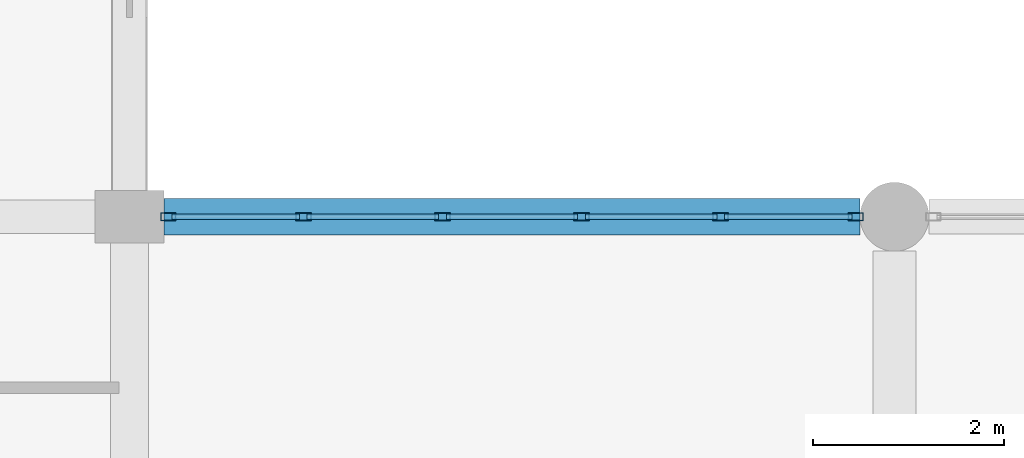
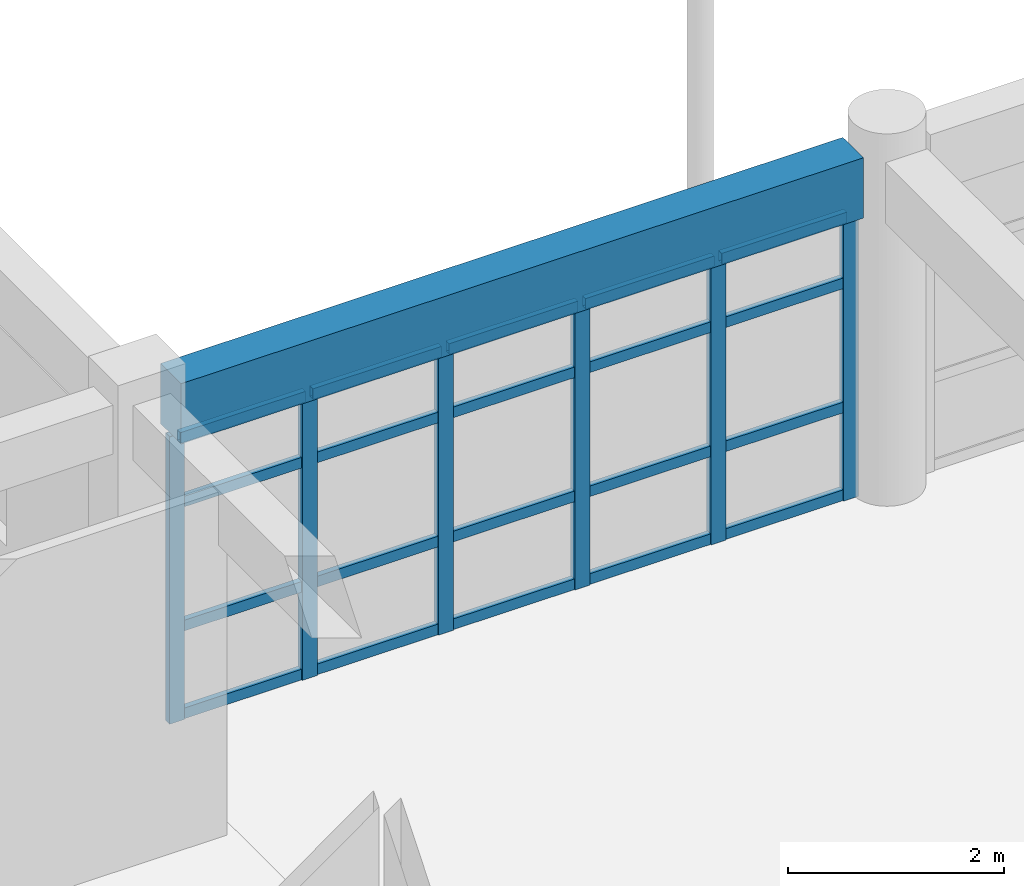
# One storey, part 44 of 195: 26 members, 1 beam, 1 element without a shape of its own.
"""IFC4 building model written with IfcOpenShell, lengths in metres."""

from ifc_helpers import new_model, si_unit, direction, frame, origin, origin_2d, place, context, subcontext, project, spatial, rectangle, hollow_rectangle, extrude, material, material_profile, profile_set, type_object, element, aggregate, save


model = new_model("IFC4")

# Units and contexts
model_context = context("Model", 3, precision=1e-05, world=origin(), true_north=direction((0.0, 1.0)))
body_context = subcontext(model_context, "Body", "Model", "MODEL_VIEW")
ifc_project = project(units=[si_unit("LENGTHUNIT", "METRE"), si_unit("AREAUNIT", "SQUARE_METRE"), si_unit("VOLUMEUNIT", "CUBIC_METRE"), si_unit("PLANEANGLEUNIT", "RADIAN"), si_unit("MASSUNIT", "GRAM", prefix="KILO")], contexts=[model_context])

# Site, building, storey
site_placement = place(None, origin())
site = spatial("IfcSite", under=ifc_project, at=site_placement, CompositionType="ELEMENT")
building_placement = place(site_placement, origin())
building = spatial("IfcBuilding", under=site, at=building_placement, Name="Kharva Crest Polytechnic", CompositionType="ELEMENT")
storey_placement = place(building_placement, frame((0.0, 0.0, 9.0)))
storey = spatial("IfcBuildingStorey", under=building, at=storey_placement, Name="L02", CompositionType="ELEMENT", Elevation=9.0)

# Curtain wall, members
ifc_material_1 = material(Name="Tempered insulated glass", Category="glass")
curtain_wall_type = type_object("IfcCurtainWallType", Name="CW-SYS-COURT", PredefinedType="USERDEFINED", material=ifc_material_1)
curtain_wall_placement = place(storey_placement, origin())
curtain_wall = element("IfcCurtainWall", 1, at=curtain_wall_placement, inside=storey, type_object=curtain_wall_type, Name="L02 Glazed Curtain Wall CW-085", ObjectType="CURTAIN WALL", PredefinedType="USERDEFINED")
ifc_material_2 = material(Name="Steel S355", Category="steel")
ifc_material_profile_1 = material_profile(ifc_material_2, hollow_rectangle(XDim=0.080078125, YDim=0.159912109375, WallThickness=0.0048828125, at=origin_2d()), Name="RHS 160X80X5.0")
ifc_profile_set_1 = profile_set([ifc_material_profile_1], Name="Steel S355")
member_type_1 = type_object("IfcMemberType", Name="CWM-RHS160X80", PredefinedType="MULLION", material=ifc_profile_set_1)
member_1_placement = place(storey_placement, frame((63.594970703125, 22.800048828125, 0.0), z_axis=(0.0, 0.0, 1.0), x_axis=(0.0, -1.0, 0.0)))
member_1 = element("IfcMember", 2, at=member_1_placement, type_object=member_type_1, Name="CW-085 mullion 1", PredefinedType="MULLION", context=body_context, shape_type="SweptSolid", body=[
    extrude(hollow_rectangle(XDim=0.080078125, YDim=0.159912109375, WallThickness=0.0048828125, at=origin_2d()), origin(), (0.0, 0.0, 1.0), 3.239990234375),
])
member_2_placement = place(storey_placement, frame((62.180908203125, 22.800048828125, 0.0), z_axis=(0.0, 0.0, 1.0), x_axis=(0.0, -1.0, 0.0)))
member_2 = element("IfcMember", 3, at=member_2_placement, type_object=member_type_1, Name="CW-085 mullion 2", PredefinedType="MULLION", context=body_context, shape_type="SweptSolid", body=[
    extrude(hollow_rectangle(XDim=0.080078125, YDim=0.159912109375, WallThickness=0.0048828125, at=origin_2d()), origin(), (0.0, 0.0, 1.0), 3.239990234375),
])
member_3_placement = place(storey_placement, frame((60.72705078125, 22.800048828125, 0.0), z_axis=(0.0, 0.0, 1.0), x_axis=(0.0, -1.0, 0.0)))
member_3 = element("IfcMember", 4, at=member_3_placement, type_object=member_type_1, Name="CW-085 mullion 3", PredefinedType="MULLION", context=body_context, shape_type="SweptSolid", body=[
    extrude(hollow_rectangle(XDim=0.080078125, YDim=0.159912109375, WallThickness=0.0048828125, at=origin_2d()), origin(), (0.0, 0.0, 1.0), 3.239990234375),
])
member_4_placement = place(storey_placement, frame((59.27294921875, 22.800048828125, 0.0), z_axis=(0.0, 0.0, 1.0), x_axis=(0.0, -1.0, 0.0)))
member_4 = element("IfcMember", 5, at=member_4_placement, type_object=member_type_1, Name="CW-085 mullion 4", PredefinedType="MULLION", context=body_context, shape_type="SweptSolid", body=[
    extrude(hollow_rectangle(XDim=0.080078125, YDim=0.159912109375, WallThickness=0.0048828125, at=origin_2d()), origin(), (0.0, 0.0, 1.0), 3.239990234375),
])
member_5_placement = place(storey_placement, frame((57.819091796875, 22.800048828125, 0.0), z_axis=(0.0, 0.0, 1.0), x_axis=(0.0, -1.0, 0.0)))
member_5 = element("IfcMember", 6, at=member_5_placement, type_object=member_type_1, Name="CW-085 mullion 5", PredefinedType="MULLION", context=body_context, shape_type="SweptSolid", body=[
    extrude(hollow_rectangle(XDim=0.080078125, YDim=0.159912109375, WallThickness=0.0048828125, at=origin_2d()), origin(), (0.0, 0.0, 1.0), 3.239990234375),
])
member_6_placement = place(storey_placement, frame((56.405029296875, 22.800048828125, 0.0), z_axis=(0.0, 0.0, 1.0), x_axis=(0.0, -1.0, 0.0)))
member_6 = element("IfcMember", 7, at=member_6_placement, type_object=member_type_1, Name="CW-085 mullion 6", PredefinedType="MULLION", context=body_context, shape_type="SweptSolid", body=[
    extrude(hollow_rectangle(XDim=0.080078125, YDim=0.159912109375, WallThickness=0.0048828125, at=origin_2d()), origin(), (0.0, 0.0, 1.0), 3.239990234375),
])
ifc_material_profile_2 = material_profile(ifc_material_2, hollow_rectangle(XDim=0.06005859375, YDim=0.1201171875, WallThickness=0.00390625, at=origin_2d()), Name="RHS 120X60X4.0")
ifc_profile_set_2 = profile_set([ifc_material_profile_2], Name="Steel S355")
member_type_2 = type_object("IfcMemberType", Name="CWT-RHS120X60", PredefinedType="USERDEFINED", material=ifc_profile_set_2)
member_7_placement = place(storey_placement, frame((63.554931640625, 22.800048828125, 0.06005859375), z_axis=(-1.0, 0.0, 0.0), x_axis=(0.0, -1.0, 0.0)))
member_7 = element("IfcMember", 8, at=member_7_placement, type_object=member_type_2, Name="CW-085 transom 1.1", ObjectType="TRANSOM", PredefinedType="USERDEFINED", context=body_context, shape_type="SweptSolid", body=[
    extrude(hollow_rectangle(XDim=0.06005859375, YDim=0.1201171875, WallThickness=0.00390625, at=origin_2d()), origin(), (0.0, 0.0, 1.0), 1.333984375),
])
member_8_placement = place(storey_placement, frame((63.554931640625, 22.800048828125, 1.050048828125), z_axis=(-1.0, 0.0, 0.0), x_axis=(0.0, -1.0, 0.0)))
member_8 = element("IfcMember", 9, at=member_8_placement, type_object=member_type_2, Name="CW-085 transom 1.2", ObjectType="TRANSOM", PredefinedType="USERDEFINED", context=body_context, shape_type="SweptSolid", body=[
    extrude(hollow_rectangle(XDim=0.06005859375, YDim=0.1201171875, WallThickness=0.00390625, at=origin_2d()), origin(), (0.0, 0.0, 1.0), 1.333984375),
])
member_9_placement = place(storey_placement, frame((63.554931640625, 22.800048828125, 2.449951171875), z_axis=(-1.0, 0.0, 0.0), x_axis=(0.0, -1.0, 0.0)))
member_9 = element("IfcMember", 10, at=member_9_placement, type_object=member_type_2, Name="CW-085 transom 1.3", ObjectType="TRANSOM", PredefinedType="USERDEFINED", context=body_context, shape_type="SweptSolid", body=[
    extrude(hollow_rectangle(XDim=0.06005859375, YDim=0.1201171875, WallThickness=0.00390625, at=origin_2d()), origin(), (0.0, 0.0, 1.0), 1.333984375),
])
member_10_placement = place(storey_placement, frame((63.554931640625, 22.800048828125, 3.179931640625), z_axis=(-1.0, 0.0, 0.0), x_axis=(0.0, -1.0, 0.0)))
member_10 = element("IfcMember", 11, at=member_10_placement, type_object=member_type_2, Name="CW-085 transom 1.4", ObjectType="TRANSOM", PredefinedType="USERDEFINED", context=body_context, shape_type="SweptSolid", body=[
    extrude(hollow_rectangle(XDim=0.06005859375, YDim=0.1201171875, WallThickness=0.00390625, at=origin_2d()), origin(), (0.0, 0.0, 1.0), 1.333984375),
])
member_11_placement = place(storey_placement, frame((62.14111328125, 22.800048828125, 0.06005859375), z_axis=(-1.0, 0.0, 0.0), x_axis=(0.0, -1.0, 0.0)))
member_11 = element("IfcMember", 12, at=member_11_placement, type_object=member_type_2, Name="CW-085 transom 2.1", ObjectType="TRANSOM", PredefinedType="USERDEFINED", context=body_context, shape_type="SweptSolid", body=[
    extrude(hollow_rectangle(XDim=0.06005859375, YDim=0.1201171875, WallThickness=0.00390625, at=origin_2d()), origin(), (0.0, 0.0, 1.0), 1.3740234375),
])
member_12_placement = place(storey_placement, frame((62.14111328125, 22.800048828125, 1.050048828125), z_axis=(-1.0, 0.0, 0.0), x_axis=(0.0, -1.0, 0.0)))
member_12 = element("IfcMember", 13, at=member_12_placement, type_object=member_type_2, Name="CW-085 transom 2.2", ObjectType="TRANSOM", PredefinedType="USERDEFINED", context=body_context, shape_type="SweptSolid", body=[
    extrude(hollow_rectangle(XDim=0.06005859375, YDim=0.1201171875, WallThickness=0.00390625, at=origin_2d()), origin(), (0.0, 0.0, 1.0), 1.3740234375),
])
member_13_placement = place(storey_placement, frame((62.14111328125, 22.800048828125, 2.449951171875), z_axis=(-1.0, 0.0, 0.0), x_axis=(0.0, -1.0, 0.0)))
member_13 = element("IfcMember", 14, at=member_13_placement, type_object=member_type_2, Name="CW-085 transom 2.3", ObjectType="TRANSOM", PredefinedType="USERDEFINED", context=body_context, shape_type="SweptSolid", body=[
    extrude(hollow_rectangle(XDim=0.06005859375, YDim=0.1201171875, WallThickness=0.00390625, at=origin_2d()), origin(), (0.0, 0.0, 1.0), 1.3740234375),
])
member_14_placement = place(storey_placement, frame((62.14111328125, 22.800048828125, 3.179931640625), z_axis=(-1.0, 0.0, 0.0), x_axis=(0.0, -1.0, 0.0)))
member_14 = element("IfcMember", 15, at=member_14_placement, type_object=member_type_2, Name="CW-085 transom 2.4", ObjectType="TRANSOM", PredefinedType="USERDEFINED", context=body_context, shape_type="SweptSolid", body=[
    extrude(hollow_rectangle(XDim=0.06005859375, YDim=0.1201171875, WallThickness=0.00390625, at=origin_2d()), origin(), (0.0, 0.0, 1.0), 1.3740234375),
])
member_15_placement = place(storey_placement, frame((60.68701171875, 22.800048828125, 0.06005859375), z_axis=(-1.0, 0.0, 0.0), x_axis=(0.0, -1.0, 0.0)))
member_15 = element("IfcMember", 16, at=member_15_placement, type_object=member_type_2, Name="CW-085 transom 3.1", ObjectType="TRANSOM", PredefinedType="USERDEFINED", context=body_context, shape_type="SweptSolid", body=[
    extrude(hollow_rectangle(XDim=0.06005859375, YDim=0.1201171875, WallThickness=0.00390625, at=origin_2d()), origin(), (0.0, 0.0, 1.0), 1.3740234375),
])
member_16_placement = place(storey_placement, frame((60.68701171875, 22.800048828125, 1.050048828125), z_axis=(-1.0, 0.0, 0.0), x_axis=(0.0, -1.0, 0.0)))
member_16 = element("IfcMember", 17, at=member_16_placement, type_object=member_type_2, Name="CW-085 transom 3.2", ObjectType="TRANSOM", PredefinedType="USERDEFINED", context=body_context, shape_type="SweptSolid", body=[
    extrude(hollow_rectangle(XDim=0.06005859375, YDim=0.1201171875, WallThickness=0.00390625, at=origin_2d()), origin(), (0.0, 0.0, 1.0), 1.3740234375),
])
member_17_placement = place(storey_placement, frame((60.68701171875, 22.800048828125, 2.449951171875), z_axis=(-1.0, 0.0, 0.0), x_axis=(0.0, -1.0, 0.0)))
member_17 = element("IfcMember", 18, at=member_17_placement, type_object=member_type_2, Name="CW-085 transom 3.3", ObjectType="TRANSOM", PredefinedType="USERDEFINED", context=body_context, shape_type="SweptSolid", body=[
    extrude(hollow_rectangle(XDim=0.06005859375, YDim=0.1201171875, WallThickness=0.00390625, at=origin_2d()), origin(), (0.0, 0.0, 1.0), 1.3740234375),
])
member_18_placement = place(storey_placement, frame((60.68701171875, 22.800048828125, 3.179931640625), z_axis=(-1.0, 0.0, 0.0), x_axis=(0.0, -1.0, 0.0)))
member_18 = element("IfcMember", 19, at=member_18_placement, type_object=member_type_2, Name="CW-085 transom 3.4", ObjectType="TRANSOM", PredefinedType="USERDEFINED", context=body_context, shape_type="SweptSolid", body=[
    extrude(hollow_rectangle(XDim=0.06005859375, YDim=0.1201171875, WallThickness=0.00390625, at=origin_2d()), origin(), (0.0, 0.0, 1.0), 1.3740234375),
])
member_19_placement = place(storey_placement, frame((59.23291015625, 22.800048828125, 0.06005859375), z_axis=(-1.0, 0.0, 0.0), x_axis=(0.0, -1.0, 0.0)))
member_19 = element("IfcMember", 20, at=member_19_placement, type_object=member_type_2, Name="CW-085 transom 4.1", ObjectType="TRANSOM", PredefinedType="USERDEFINED", context=body_context, shape_type="SweptSolid", body=[
    extrude(hollow_rectangle(XDim=0.06005859375, YDim=0.1201171875, WallThickness=0.00390625, at=origin_2d()), origin(), (0.0, 0.0, 1.0), 1.3740234375),
])
member_20_placement = place(storey_placement, frame((59.23291015625, 22.800048828125, 1.050048828125), z_axis=(-1.0, 0.0, 0.0), x_axis=(0.0, -1.0, 0.0)))
member_20 = element("IfcMember", 21, at=member_20_placement, type_object=member_type_2, Name="CW-085 transom 4.2", ObjectType="TRANSOM", PredefinedType="USERDEFINED", context=body_context, shape_type="SweptSolid", body=[
    extrude(hollow_rectangle(XDim=0.06005859375, YDim=0.1201171875, WallThickness=0.00390625, at=origin_2d()), origin(), (0.0, 0.0, 1.0), 1.3740234375),
])
member_21_placement = place(storey_placement, frame((59.23291015625, 22.800048828125, 2.449951171875), z_axis=(-1.0, 0.0, 0.0), x_axis=(0.0, -1.0, 0.0)))
member_21 = element("IfcMember", 22, at=member_21_placement, type_object=member_type_2, Name="CW-085 transom 4.3", ObjectType="TRANSOM", PredefinedType="USERDEFINED", context=body_context, shape_type="SweptSolid", body=[
    extrude(hollow_rectangle(XDim=0.06005859375, YDim=0.1201171875, WallThickness=0.00390625, at=origin_2d()), origin(), (0.0, 0.0, 1.0), 1.3740234375),
])
member_22_placement = place(storey_placement, frame((59.23291015625, 22.800048828125, 3.179931640625), z_axis=(-1.0, 0.0, 0.0), x_axis=(0.0, -1.0, 0.0)))
member_22 = element("IfcMember", 23, at=member_22_placement, type_object=member_type_2, Name="CW-085 transom 4.4", ObjectType="TRANSOM", PredefinedType="USERDEFINED", context=body_context, shape_type="SweptSolid", body=[
    extrude(hollow_rectangle(XDim=0.06005859375, YDim=0.1201171875, WallThickness=0.00390625, at=origin_2d()), origin(), (0.0, 0.0, 1.0), 1.3740234375),
])
member_23_placement = place(storey_placement, frame((57.779052734375, 22.800048828125, 0.06005859375), z_axis=(-1.0, 0.0, 0.0), x_axis=(0.0, -1.0, 0.0)))
member_23 = element("IfcMember", 24, at=member_23_placement, type_object=member_type_2, Name="CW-085 transom 5.1", ObjectType="TRANSOM", PredefinedType="USERDEFINED", context=body_context, shape_type="SweptSolid", body=[
    extrude(hollow_rectangle(XDim=0.06005859375, YDim=0.1201171875, WallThickness=0.00390625, at=origin_2d()), origin(), (0.0, 0.0, 1.0), 1.333984375),
])
member_24_placement = place(storey_placement, frame((57.779052734375, 22.800048828125, 1.050048828125), z_axis=(-1.0, 0.0, 0.0), x_axis=(0.0, -1.0, 0.0)))
member_24 = element("IfcMember", 25, at=member_24_placement, type_object=member_type_2, Name="CW-085 transom 5.2", ObjectType="TRANSOM", PredefinedType="USERDEFINED", context=body_context, shape_type="SweptSolid", body=[
    extrude(hollow_rectangle(XDim=0.06005859375, YDim=0.1201171875, WallThickness=0.00390625, at=origin_2d()), origin(), (0.0, 0.0, 1.0), 1.333984375),
])
member_25_placement = place(storey_placement, frame((57.779052734375, 22.800048828125, 2.449951171875), z_axis=(-1.0, 0.0, 0.0), x_axis=(0.0, -1.0, 0.0)))
member_25 = element("IfcMember", 26, at=member_25_placement, type_object=member_type_2, Name="CW-085 transom 5.3", ObjectType="TRANSOM", PredefinedType="USERDEFINED", context=body_context, shape_type="SweptSolid", body=[
    extrude(hollow_rectangle(XDim=0.06005859375, YDim=0.1201171875, WallThickness=0.00390625, at=origin_2d()), origin(), (0.0, 0.0, 1.0), 1.333984375),
])
member_26_placement = place(storey_placement, frame((57.779052734375, 22.800048828125, 3.179931640625), z_axis=(-1.0, 0.0, 0.0), x_axis=(0.0, -1.0, 0.0)))
member_26 = element("IfcMember", 27, at=member_26_placement, type_object=member_type_2, Name="CW-085 transom 5.4", ObjectType="TRANSOM", PredefinedType="USERDEFINED", context=body_context, shape_type="SweptSolid", body=[
    extrude(hollow_rectangle(XDim=0.06005859375, YDim=0.1201171875, WallThickness=0.00390625, at=origin_2d()), origin(), (0.0, 0.0, 1.0), 1.333984375),
])
aggregate(curtain_wall, [member_1, member_2, member_3, member_4, member_5, member_6, member_7, member_8, member_9, member_10, member_11, member_12, member_13, member_14, member_15, member_16, member_17, member_18, member_19, member_20, member_21, member_22, member_23, member_24, member_25, member_26])

# Beam
ifc_material_3 = material(Name="Concrete C35/45", Category="concrete")
ifc_material_profile_3 = material_profile(ifc_material_3, rectangle(XDim=0.3798828125, YDim=0.679931640625, at=origin_2d()), Name="RECT 380 X 680")
ifc_profile_set_3 = profile_set([ifc_material_profile_3], Name="Concrete C35/45")
beam_type = type_object("IfcBeamType", Name="SP-RC-380X680", PredefinedType="SPANDREL", material=ifc_profile_set_3)
beam_placement = place(storey_placement, frame((56.360107421875, 22.800048828125, 3.580078125), z_axis=(1.0, 0.0, 0.0), x_axis=(0.0, 1.0, 0.0)))
element("IfcBeam", 28, at=beam_placement, inside=storey, type_object=beam_type, Name="L02 Beam D/8-9", PredefinedType="SPANDREL", context=body_context, shape_type="SweptSolid", body=[
    extrude(rectangle(XDim=0.3798828125, YDim=0.679931640625, at=origin_2d()), origin(), (0.0, 0.0, 1.0), 7.27978515625),
])

save(model, "model.ifc")
